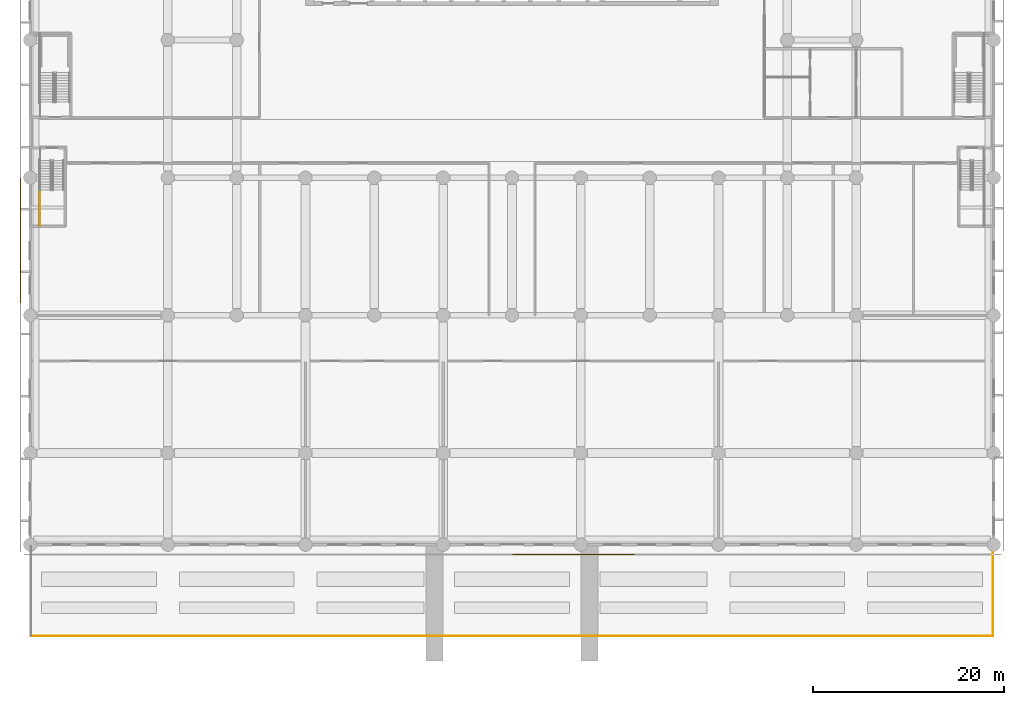
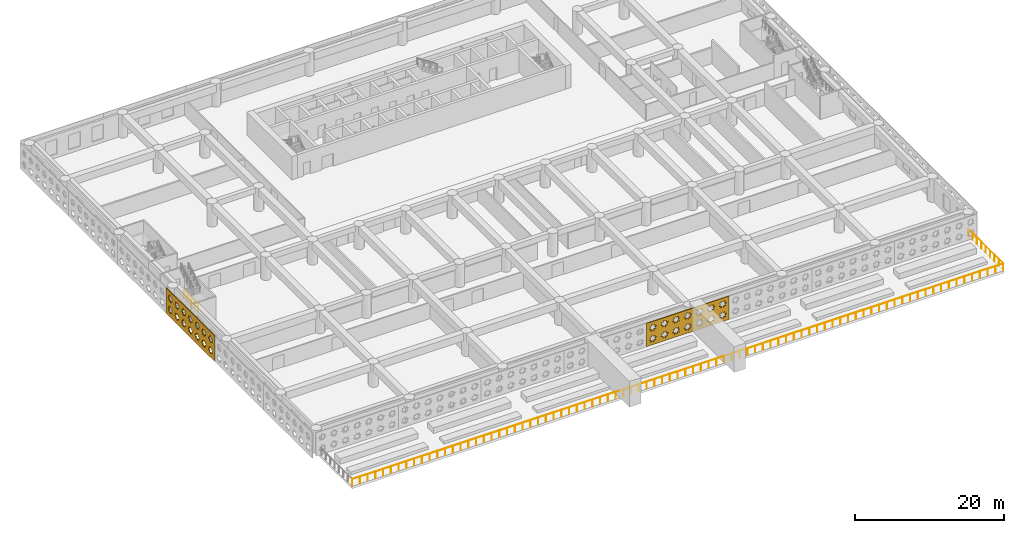
# One storey, part 14 of 24: 2 coverings, 2 railings.
"""IFC4 building model written with IfcOpenShell, lengths in metres."""

import ifcopenshell
import ifcopenshell.guid

model = None  # the IFC model being written
_history = None  # IfcOwnerHistory: only IFC2X3 demands one
_inside = {}  # id of a spatial element -> (the spatial element, [elements in it])
_under = {}  # id of a project, library or spatial element -> (it, [spatial elements below it])
_declared = {}  # id of a project -> (the project, [libraries it declares])
_typed = {}  # id of a type object -> (the type object, [elements of that type])
_made_of = {}  # id of a material, layer set ... -> (it, [elements and type objects made of it])


def new_model(schema):
    """Start an empty IFC model of exactly this schema.

    Asked for "IFC4X3", IfcOpenShell would pick the latest addendum, in which some entities
    have other attributes; the version numbers below select the first issue.
    IFC2X3 requires an IfcOwnerHistory on every rooted entity: one is made here for all.
    """
    global model, _history
    if schema == "IFC4X3":
        model = ifcopenshell.file(schema_version=(4, 3, 0, 0))
    else:
        model = ifcopenshell.file(schema=schema)
    _inside.clear()
    _under.clear()
    _declared.clear()
    _typed.clear()
    _made_of.clear()
    _history = None
    if model.schema == "IFC2X3":
        org = make("IfcOrganization", Name="unknown")
        user = make(
            "IfcPersonAndOrganization",
            ThePerson=make("IfcPerson", FamilyName="unknown"),
            TheOrganization=org,
        )
        app = make(
            "IfcApplication",
            ApplicationDeveloper=org,
            Version="unknown",
            ApplicationFullName="unknown",
            ApplicationIdentifier="unknown",
        )
        _history = make(
            "IfcOwnerHistory",
            OwningUser=user,
            OwningApplication=app,
            ChangeAction="ADDED",
            CreationDate=0,
        )
    return model


def make(cls, **values):
    """One entity of the class cls with the attributes given. An attribute that is None is left unset."""
    return model.create_entity(
        cls, **{name: value for name, value in values.items() if value is not None}
    )


def rooted(cls, **values):
    """An entity with a GlobalId (a new one), such as an element, a storey or a relation."""
    return make(cls, GlobalId=ifcopenshell.guid.new(), OwnerHistory=_history, **values)


def si_unit(unit_type, name, prefix=None):
    """IfcSIUnit, for example si_unit("LENGTHUNIT", "METRE", prefix="MILLI")."""
    return make("IfcSIUnit", UnitType=unit_type, Prefix=prefix, Name=name)


def assignment(units):
    """IfcUnitAssignment: the units of a project."""
    return None if units is None else make("IfcUnitAssignment", Units=units)


def point(xyz):
    """IfcCartesianPoint."""
    return None if xyz is None else make("IfcCartesianPoint", Coordinates=xyz)


def direction(xyz):
    """IfcDirection."""
    return None if xyz is None else make("IfcDirection", DirectionRatios=xyz)


def frame(location, z_axis=None, x_axis=None):
    """IfcAxis2Placement3D, a coordinate frame: its origin and axes. An axis left out is left unset."""
    return make(
        "IfcAxis2Placement3D",
        Location=point(location),
        Axis=direction(z_axis),
        RefDirection=direction(x_axis),
    )


def frame_2d(location, x_axis=None):
    """IfcAxis2Placement2D, a coordinate frame in the plane: its origin and x axis."""
    return make(
        "IfcAxis2Placement2D", Location=point(location), RefDirection=direction(x_axis)
    )


def origin():
    """The frame at (0, 0, 0) with its axes left unset."""
    return frame((0.0, 0.0, 0.0))


def origin_2d():
    """The frame at (0, 0) in the plane with its x axis left unset."""
    return frame_2d((0.0, 0.0))


def place(relative_to, where):
    """IfcLocalPlacement: puts the frame where relative to a parent placement (None: the world)."""
    return make(
        "IfcLocalPlacement", PlacementRelTo=relative_to, RelativePlacement=where
    )


def context(
    kind, dimensions, precision=None, world=None, true_north=None, identifier=None
):
    """IfcGeometricRepresentationContext, for example the 3D "Model" context."""
    return make(
        "IfcGeometricRepresentationContext",
        ContextIdentifier=identifier,
        ContextType=kind,
        CoordinateSpaceDimension=dimensions,
        Precision=precision,
        WorldCoordinateSystem=world,
        TrueNorth=true_north,
    )


def subcontext(parent, identifier, kind, view, scale=None):
    """IfcGeometricRepresentationSubContext, for example "Body" below "Model"."""
    return make(
        "IfcGeometricRepresentationSubContext",
        ContextIdentifier=identifier,
        ContextType=kind,
        ParentContext=parent,
        TargetScale=scale,
        TargetView=view,
    )


def project(units=None, contexts=None):
    """IfcProject with its units and contexts."""
    return rooted(
        "IfcProject",
        Name="project",
        RepresentationContexts=contexts,
        UnitsInContext=assignment(units),
    )


def spatial(cls, under=None, at=None, **own):
    """A site, building, storey or space (cls), placed at a placement, below another one or the project."""
    s = rooted(cls, ObjectPlacement=at, **own)
    if under is not None:
        _under.setdefault(under.id(), (under, []))[1].append(s)
    return s


def polyline(points):
    """IfcPolyline through the points."""
    return make("IfcPolyline", Points=[point(p) for p in points])


def profile(cls, at=None, kind="AREA", **sizes):
    """A parametric profile (cls). Its sizes go by their IFC names, for example OverallWidth=200.0."""
    return make(cls, ProfileType=kind, Position=at, **sizes)


def circle(**sizes):
    """IfcCircleProfileDef."""
    return profile("IfcCircleProfileDef", **sizes)


def outline(outer, holes=None, kind="AREA"):
    """IfcArbitraryClosedProfileDef: a profile drawn as a closed curve; with holes, ...WithVoids."""
    if holes is None:
        return make("IfcArbitraryClosedProfileDef", ProfileType=kind, OuterCurve=outer)
    return make(
        "IfcArbitraryProfileDefWithVoids",
        ProfileType=kind,
        OuterCurve=outer,
        InnerCurves=holes,
    )


def extrude(swept, where, along, depth):
    """IfcExtrudedAreaSolid: the profile swept, set in the frame where, extruded along a direction by depth."""
    return make(
        "IfcExtrudedAreaSolid",
        SweptArea=swept,
        Position=where,
        ExtrudedDirection=direction(along),
        Depth=depth,
    )


def shape(context_of_items, identifier, shape_type, items):
    """IfcShapeRepresentation: the items that make up one representation, for example the "Body"."""
    return make(
        "IfcShapeRepresentation",
        ContextOfItems=context_of_items,
        RepresentationIdentifier=identifier,
        RepresentationType=shape_type,
        Items=items,
    )


def material(Name=None, Category=None):
    """IfcMaterial."""
    return make("IfcMaterial", Name=Name, Category=Category)


def layer(
    of_material, thickness, ventilated=None, Name=None, Category=None, Priority=None
):
    """IfcMaterialLayer: one layer of a wall or slab, of a material (None: an air gap)."""
    return make(
        "IfcMaterialLayer",
        Material=of_material,
        LayerThickness=thickness,
        IsVentilated=ventilated,
        Name=Name,
        Category=Category,
        Priority=Priority,
    )


def layer_set(layers, Name=None):
    """IfcMaterialLayerSet."""
    return make("IfcMaterialLayerSet", MaterialLayers=layers, LayerSetName=Name)


def made_of(thing, what):
    """Note that an element or type object is made of a material, layer set ...; save() writes the relation."""
    if what is not None:
        _made_of.setdefault(what.id(), (what, []))[1].append(thing)
    return thing


def type_object(cls, material=None, **own):
    """A type object (cls), such as IfcWallType, which elements share."""
    return made_of(rooted(cls, **own), material)


def element(
    cls,
    number,
    at=None,
    inside=None,
    cuts=None,
    type_object=None,
    material=None,
    context=None,
    identifier="Body",
    shape_type=None,
    held_by="IfcProductDefinitionShape",
    body=None,
    shapes=None,
    **own,
):
    """One element of the class cls, such as IfcWall. Its Tag is "e" and its number.

    at: its placement. inside: the storey or other place that contains it. cuts: it is an
    opening in that element (IfcRelVoidsElement). A single representation is given by context,
    identifier, shape_type and body (its items); several are given by shapes. held_by: the class
    of the entity that holds the representations. save() writes the other relations.
    """
    e = rooted(cls, Tag="e%d" % number, ObjectPlacement=at, **own)
    if body is not None:
        shapes = [shape(context, identifier, shape_type, body)]
    if shapes is not None:
        e.Representation = make(held_by, Representations=shapes)
    if inside is not None:
        _inside.setdefault(inside.id(), (inside, []))[1].append(e)
    if cuts is not None:
        rooted(
            "IfcRelVoidsElement", RelatingBuildingElement=cuts, RelatedOpeningElement=e
        )
    if type_object is not None:
        _typed.setdefault(type_object.id(), (type_object, []))[1].append(e)
    return made_of(e, material)


def aggregate(whole, parts):
    """IfcRelAggregates: a whole, such as a stair, and the parts it consists of."""
    return rooted("IfcRelAggregates", RelatingObject=whole, RelatedObjects=parts)


def save(model, path):
    """Write the relations noted so far, then the file.

    IfcRelAggregates (storeys below a building ...), IfcRelContainedInSpatialStructure (elements
    in a storey), IfcRelDefinesByType, IfcRelAssociatesMaterial and IfcRelDeclares: one each for
    every whole, place, type object, material and project.
    """
    for whole, parts in _under.values():
        aggregate(whole, parts)
    for where, things in _inside.values():
        rooted(
            "IfcRelContainedInSpatialStructure",
            RelatedElements=things,
            RelatingStructure=where,
        )
    for kind, things in _typed.values():
        rooted("IfcRelDefinesByType", RelatedObjects=things, RelatingType=kind)
    for what, things in _made_of.values():
        rooted("IfcRelAssociatesMaterial", RelatedObjects=things, RelatingMaterial=what)
    for by, libraries in _declared.values():
        rooted("IfcRelDeclares", RelatingContext=by, RelatedDefinitions=libraries)
    model.write(path)


model = new_model("IFC4")

# Units and contexts
model_context = context("Model", 3, precision=1e-05, world=origin(), true_north=direction((0.0, 1.0)))
body_context = subcontext(model_context, "Body", "Model", "MODEL_VIEW")
ifc_project = project(units=[si_unit("LENGTHUNIT", "METRE"), si_unit("AREAUNIT", "SQUARE_METRE"), si_unit("VOLUMEUNIT", "CUBIC_METRE"), si_unit("PLANEANGLEUNIT", "RADIAN"), si_unit("MASSUNIT", "GRAM", prefix="KILO")], contexts=[model_context])

# Site, building, storey
site_placement = place(None, origin())
site = spatial("IfcSite", under=ifc_project, at=site_placement, CompositionType="ELEMENT")
building_placement = place(site_placement, origin())
building = spatial("IfcBuilding", under=site, at=building_placement, Name="Saffron Iwan Residences", CompositionType="ELEMENT")
storey_placement = place(building_placement, frame((0.0, 0.0, 13.199951171875)))
storey = spatial("IfcBuildingStorey", under=building, at=storey_placement, Name="L02", CompositionType="ELEMENT", Elevation=13.199951171875)

# Coverings
ifc_material_1 = material(Name="Terracotta screen, precast concrete C40/50", Category="masonry")
ifc_layer = layer(ifc_material_1, 0.1201171875)
ifc_layer_set = layer_set([ifc_layer], Name="Terracotta screen, precast concrete C40/50")
covering_type = type_object("IfcCoveringType", Name="PODIUM SCREEN GIRIH", PredefinedType="CLADDING", material=ifc_layer_set)
covering_1_placement = place(storey_placement, frame((50.4599609375, 8.64990234375, 0.0), z_axis=(0.0, -1.0, 0.0), x_axis=(1.0, 0.0, 0.0)))
element("IfcCovering", 1, at=covering_1_placement, inside=storey, type_object=covering_type, Name="SCREEN girih terracotta L02 F0.4", PredefinedType="CLADDING", context=body_context, shape_type="SweptSolid", body=[
    extrude(outline(polyline([(0.0, 0.0), (12.777587890625, 0.0), (12.777587890625, 3.800048828125), (0.0, 3.800048828125), (0.0, 0.0)]), holes=[polyline([(1.5966796875, 1.12109375), (1.271484375, 1.18896484375), (1.333251953125, 1.515380859375), (1.05517578125, 1.33349609375), (0.867919921875, 1.608154296875), (0.7998046875, 1.28271484375), (0.47314453125, 1.344482421875), (0.6552734375, 1.06640625), (0.380615234375, 0.87890625), (0.7060546875, 0.81103515625), (0.644287109375, 0.484619140625), (0.92236328125, 0.66650390625), (1.109619140625, 0.391845703125), (1.177490234375, 0.71728515625), (1.50439453125, 0.655517578125), (1.322265625, 0.93359375), (1.5966796875, 1.12109375)]), polyline([(1.5966796875, 2.9208984375), (1.271484375, 2.989013671875), (1.333251953125, 3.3154296875), (1.05517578125, 3.133544921875), (0.867919921875, 3.408203125), (0.7998046875, 3.082763671875), (0.47314453125, 3.14453125), (0.6552734375, 2.8662109375), (0.380615234375, 2.678955078125), (0.7060546875, 2.611083984375), (0.644287109375, 2.284423828125), (0.92236328125, 2.466552734375), (1.109619140625, 2.19189453125), (1.177490234375, 2.517333984375), (1.50439453125, 2.45556640625), (1.322265625, 2.733642578125), (1.5966796875, 2.9208984375)]), polyline([(3.396728515625, 1.12109375), (3.0712890625, 1.18896484375), (3.13330078125, 1.515380859375), (2.85498046875, 1.33349609375), (2.667724609375, 1.608154296875), (2.599853515625, 1.28271484375), (2.273193359375, 1.344482421875), (2.455322265625, 1.06640625), (2.1806640625, 0.87890625), (2.506103515625, 0.81103515625), (2.4443359375, 0.484619140625), (2.722412109375, 0.66650390625), (2.90966796875, 0.391845703125), (2.9775390625, 0.71728515625), (3.30419921875, 0.655517578125), (3.122314453125, 0.93359375), (3.396728515625, 1.12109375)]), polyline([(3.396728515625, 2.9208984375), (3.0712890625, 2.989013671875), (3.13330078125, 3.3154296875), (2.85498046875, 3.133544921875), (2.667724609375, 3.408203125), (2.599853515625, 3.082763671875), (2.273193359375, 3.14453125), (2.455322265625, 2.8662109375), (2.1806640625, 2.678955078125), (2.506103515625, 2.611083984375), (2.4443359375, 2.284423828125), (2.722412109375, 2.466552734375), (2.90966796875, 2.19189453125), (2.9775390625, 2.517333984375), (3.30419921875, 2.45556640625), (3.122314453125, 2.733642578125), (3.396728515625, 2.9208984375)]), polyline([(5.19677734375, 1.12109375), (4.871337890625, 1.18896484375), (4.93310546875, 1.515380859375), (4.655029296875, 1.33349609375), (4.4677734375, 1.608154296875), (4.39990234375, 1.28271484375), (4.0732421875, 1.344482421875), (4.25537109375, 1.06640625), (3.980712890625, 0.87890625), (4.30615234375, 0.81103515625), (4.244384765625, 0.484619140625), (4.5224609375, 0.66650390625), (4.709716796875, 0.391845703125), (4.777587890625, 0.71728515625), (5.104248046875, 0.655517578125), (4.922119140625, 0.93359375), (5.19677734375, 1.12109375)]), polyline([(5.19677734375, 2.9208984375), (4.871337890625, 2.989013671875), (4.93310546875, 3.3154296875), (4.655029296875, 3.133544921875), (4.4677734375, 3.408203125), (4.39990234375, 3.082763671875), (4.0732421875, 3.14453125), (4.25537109375, 2.8662109375), (3.980712890625, 2.678955078125), (4.30615234375, 2.611083984375), (4.244384765625, 2.284423828125), (4.5224609375, 2.466552734375), (4.709716796875, 2.19189453125), (4.777587890625, 2.517333984375), (5.104248046875, 2.45556640625), (4.922119140625, 2.733642578125), (5.19677734375, 2.9208984375)]), polyline([(6.996826171875, 1.12109375), (6.67138671875, 1.18896484375), (6.733154296875, 1.515380859375), (6.455078125, 1.33349609375), (6.267822265625, 1.608154296875), (6.199951171875, 1.28271484375), (5.873291015625, 1.344482421875), (6.055419921875, 1.06640625), (5.78076171875, 0.87890625), (6.106201171875, 0.81103515625), (6.044189453125, 0.484619140625), (6.322509765625, 0.66650390625), (6.509765625, 0.391845703125), (6.57763671875, 0.71728515625), (6.904296875, 0.655517578125), (6.72216796875, 0.93359375), (6.996826171875, 1.12109375)]), polyline([(6.996826171875, 2.9208984375), (6.67138671875, 2.989013671875), (6.733154296875, 3.3154296875), (6.455078125, 3.133544921875), (6.267822265625, 3.408203125), (6.199951171875, 3.082763671875), (5.873291015625, 3.14453125), (6.055419921875, 2.8662109375), (5.78076171875, 2.678955078125), (6.106201171875, 2.611083984375), (6.044189453125, 2.284423828125), (6.322509765625, 2.466552734375), (6.509765625, 2.19189453125), (6.57763671875, 2.517333984375), (6.904296875, 2.45556640625), (6.72216796875, 2.733642578125), (6.996826171875, 2.9208984375)]), polyline([(8.796875, 1.12109375), (8.471435546875, 1.18896484375), (8.533203125, 1.515380859375), (8.255126953125, 1.33349609375), (8.06787109375, 1.608154296875), (8.0, 1.28271484375), (7.673095703125, 1.344482421875), (7.855224609375, 1.06640625), (7.580810546875, 0.87890625), (7.906005859375, 0.81103515625), (7.84423828125, 0.484619140625), (8.122314453125, 0.66650390625), (8.309814453125, 0.391845703125), (8.377685546875, 0.71728515625), (8.704345703125, 0.655517578125), (8.522216796875, 0.93359375), (8.796875, 1.12109375)]), polyline([(8.796875, 2.9208984375), (8.471435546875, 2.989013671875), (8.533203125, 3.3154296875), (8.255126953125, 3.133544921875), (8.06787109375, 3.408203125), (8.0, 3.082763671875), (7.673095703125, 3.14453125), (7.855224609375, 2.8662109375), (7.580810546875, 2.678955078125), (7.906005859375, 2.611083984375), (7.84423828125, 2.284423828125), (8.122314453125, 2.466552734375), (8.309814453125, 2.19189453125), (8.377685546875, 2.517333984375), (8.704345703125, 2.45556640625), (8.522216796875, 2.733642578125), (8.796875, 2.9208984375)]), polyline([(10.5966796875, 1.12109375), (10.271484375, 1.18896484375), (10.333251953125, 1.515380859375), (10.05517578125, 1.33349609375), (9.867919921875, 1.608154296875), (9.7998046875, 1.28271484375), (9.47314453125, 1.344482421875), (9.6552734375, 1.06640625), (9.380615234375, 0.87890625), (9.7060546875, 0.81103515625), (9.644287109375, 0.484619140625), (9.92236328125, 0.66650390625), (10.109619140625, 0.391845703125), (10.177490234375, 0.71728515625), (10.50439453125, 0.655517578125), (10.322265625, 0.93359375), (10.5966796875, 1.12109375)]), polyline([(10.5966796875, 2.9208984375), (10.271484375, 2.989013671875), (10.333251953125, 3.3154296875), (10.05517578125, 3.133544921875), (9.867919921875, 3.408203125), (9.7998046875, 3.082763671875), (9.47314453125, 3.14453125), (9.6552734375, 2.8662109375), (9.380615234375, 2.678955078125), (9.7060546875, 2.611083984375), (9.644287109375, 2.284423828125), (9.92236328125, 2.466552734375), (10.109619140625, 2.19189453125), (10.177490234375, 2.517333984375), (10.50439453125, 2.45556640625), (10.322265625, 2.733642578125), (10.5966796875, 2.9208984375)]), polyline([(12.396728515625, 1.12109375), (12.0712890625, 1.18896484375), (12.13330078125, 1.515380859375), (11.85498046875, 1.33349609375), (11.667724609375, 1.608154296875), (11.599853515625, 1.28271484375), (11.273193359375, 1.344482421875), (11.455322265625, 1.06640625), (11.1806640625, 0.87890625), (11.506103515625, 0.81103515625), (11.4443359375, 0.484619140625), (11.722412109375, 0.66650390625), (11.90966796875, 0.391845703125), (11.9775390625, 0.71728515625), (12.30419921875, 0.655517578125), (12.122314453125, 0.93359375), (12.396728515625, 1.12109375)]), polyline([(12.396728515625, 2.9208984375), (12.0712890625, 2.989013671875), (12.13330078125, 3.3154296875), (11.85498046875, 3.133544921875), (11.667724609375, 3.408203125), (11.599853515625, 3.082763671875), (11.273193359375, 3.14453125), (11.455322265625, 2.8662109375), (11.1806640625, 2.678955078125), (11.506103515625, 2.611083984375), (11.4443359375, 2.284423828125), (11.722412109375, 2.466552734375), (11.90966796875, 2.19189453125), (11.9775390625, 2.517333984375), (12.30419921875, 2.45556640625), (12.122314453125, 2.733642578125), (12.396728515625, 2.9208984375)])]), origin(), (0.0, 0.0, 1.0), 0.119873046875),
])
covering_2_placement = place(storey_placement, frame((-0.949951171875, 47.93994140625, -0.39990234375), z_axis=(-1.0, 0.0, 0.0), x_axis=(0.0, -1.0, 0.0)))
element("IfcCovering", 2, at=covering_2_placement, inside=storey, type_object=covering_type, Name="SCREEN girih terracotta L02 F3.3", PredefinedType="CLADDING", context=body_context, shape_type="SweptSolid", body=[
    extrude(outline(polyline([(0.0, 0.0), (13.03662109375, 0.0), (13.03662109375, 4.199951171875), (0.0, 4.199951171875), (0.0, 0.0)]), holes=[polyline([(1.726318359375, 1.321044921875), (1.40087890625, 1.388916015625), (1.462890625, 1.715576171875), (1.184814453125, 1.533447265625), (0.997314453125, 1.80810546875), (0.929443359375, 1.482666015625), (0.602783203125, 1.54443359375), (0.784912109375, 1.266357421875), (0.51025390625, 1.0791015625), (0.835693359375, 1.010986328125), (0.77392578125, 0.6845703125), (1.052001953125, 0.866455078125), (1.2392578125, 0.591796875), (1.30712890625, 0.917236328125), (1.6337890625, 0.85546875), (1.451904296875, 1.1337890625), (1.726318359375, 1.321044921875)]), polyline([(1.726318359375, 3.12109375), (1.40087890625, 3.18896484375), (1.462890625, 3.515380859375), (1.184814453125, 3.33349609375), (0.997314453125, 3.608154296875), (0.929443359375, 3.28271484375), (0.602783203125, 3.344482421875), (0.784912109375, 3.06640625), (0.51025390625, 2.87890625), (0.835693359375, 2.81103515625), (0.77392578125, 2.484619140625), (1.052001953125, 2.66650390625), (1.2392578125, 2.391845703125), (1.30712890625, 2.71728515625), (1.6337890625, 2.655517578125), (1.451904296875, 2.93359375), (1.726318359375, 3.12109375)]), polyline([(3.5263671875, 1.321044921875), (3.200927734375, 1.388916015625), (3.2626953125, 1.715576171875), (2.984619140625, 1.533447265625), (2.79736328125, 1.80810546875), (2.7294921875, 1.482666015625), (2.40283203125, 1.54443359375), (2.5849609375, 1.266357421875), (2.310302734375, 1.0791015625), (2.635498046875, 1.010986328125), (2.573974609375, 0.6845703125), (2.85205078125, 0.866455078125), (3.039306640625, 0.591796875), (3.107177734375, 0.917236328125), (3.433837890625, 0.85546875), (3.251708984375, 1.1337890625), (3.5263671875, 1.321044921875)]), polyline([(3.5263671875, 3.12109375), (3.200927734375, 3.18896484375), (3.2626953125, 3.515380859375), (2.984619140625, 3.33349609375), (2.79736328125, 3.608154296875), (2.7294921875, 3.28271484375), (2.40283203125, 3.344482421875), (2.5849609375, 3.06640625), (2.310302734375, 2.87890625), (2.635498046875, 2.81103515625), (2.573974609375, 2.484619140625), (2.85205078125, 2.66650390625), (3.039306640625, 2.391845703125), (3.107177734375, 2.71728515625), (3.433837890625, 2.655517578125), (3.251708984375, 2.93359375), (3.5263671875, 3.12109375)]), polyline([(5.326416015625, 1.321044921875), (5.0009765625, 1.388916015625), (5.062744140625, 1.715576171875), (4.78466796875, 1.533447265625), (4.597412109375, 1.80810546875), (4.529296875, 1.482666015625), (4.202880859375, 1.54443359375), (4.385009765625, 1.266357421875), (4.110107421875, 1.0791015625), (4.435546875, 1.010986328125), (4.373779296875, 0.6845703125), (4.652099609375, 0.866455078125), (4.83935546875, 0.591796875), (4.9072265625, 0.917236328125), (5.23388671875, 0.85546875), (5.0517578125, 1.1337890625), (5.326416015625, 1.321044921875)]), polyline([(5.326416015625, 3.12109375), (5.0009765625, 3.18896484375), (5.062744140625, 3.515380859375), (4.78466796875, 3.33349609375), (4.597412109375, 3.608154296875), (4.529296875, 3.28271484375), (4.202880859375, 3.344482421875), (4.385009765625, 3.06640625), (4.110107421875, 2.87890625), (4.435546875, 2.81103515625), (4.373779296875, 2.484619140625), (4.652099609375, 2.66650390625), (4.83935546875, 2.391845703125), (4.9072265625, 2.71728515625), (5.23388671875, 2.655517578125), (5.0517578125, 2.93359375), (5.326416015625, 3.12109375)]), polyline([(7.12646484375, 1.321044921875), (6.801025390625, 1.388916015625), (6.86279296875, 1.715576171875), (6.584716796875, 1.533447265625), (6.3974609375, 1.80810546875), (6.329345703125, 1.482666015625), (6.002685546875, 1.54443359375), (6.184814453125, 1.266357421875), (5.91015625, 1.0791015625), (6.235595703125, 1.010986328125), (6.173828125, 0.6845703125), (6.451904296875, 0.866455078125), (6.639404296875, 0.591796875), (6.707275390625, 0.917236328125), (7.03369140625, 0.85546875), (6.851806640625, 1.1337890625), (7.12646484375, 1.321044921875)]), polyline([(7.12646484375, 3.12109375), (6.801025390625, 3.18896484375), (6.86279296875, 3.515380859375), (6.584716796875, 3.33349609375), (6.3974609375, 3.608154296875), (6.329345703125, 3.28271484375), (6.002685546875, 3.344482421875), (6.184814453125, 3.06640625), (5.91015625, 2.87890625), (6.235595703125, 2.81103515625), (6.173828125, 2.484619140625), (6.451904296875, 2.66650390625), (6.639404296875, 2.391845703125), (6.707275390625, 2.71728515625), (7.03369140625, 2.655517578125), (6.851806640625, 2.93359375), (7.12646484375, 3.12109375)]), polyline([(8.926513671875, 1.321044921875), (8.60107421875, 1.388916015625), (8.662841796875, 1.715576171875), (8.384765625, 1.533447265625), (8.197509765625, 1.80810546875), (8.12939453125, 1.482666015625), (7.802734375, 1.54443359375), (7.98486328125, 1.266357421875), (7.710205078125, 1.0791015625), (8.03564453125, 1.010986328125), (7.973876953125, 0.6845703125), (8.251953125, 0.866455078125), (8.439208984375, 0.591796875), (8.507080078125, 0.917236328125), (8.833740234375, 0.85546875), (8.65185546875, 1.1337890625), (8.926513671875, 1.321044921875)]), polyline([(8.926513671875, 3.12109375), (8.60107421875, 3.18896484375), (8.662841796875, 3.515380859375), (8.384765625, 3.33349609375), (8.197509765625, 3.608154296875), (8.12939453125, 3.28271484375), (7.802734375, 3.344482421875), (7.98486328125, 3.06640625), (7.710205078125, 2.87890625), (8.03564453125, 2.81103515625), (7.973876953125, 2.484619140625), (8.251953125, 2.66650390625), (8.439208984375, 2.391845703125), (8.507080078125, 2.71728515625), (8.833740234375, 2.655517578125), (8.65185546875, 2.93359375), (8.926513671875, 3.12109375)]), polyline([(10.726318359375, 1.321044921875), (10.40087890625, 1.388916015625), (10.462890625, 1.715576171875), (10.184814453125, 1.533447265625), (9.997314453125, 1.80810546875), (9.929443359375, 1.482666015625), (9.602783203125, 1.54443359375), (9.784912109375, 1.266357421875), (9.51025390625, 1.0791015625), (9.835693359375, 1.010986328125), (9.77392578125, 0.6845703125), (10.052001953125, 0.866455078125), (10.2392578125, 0.591796875), (10.30712890625, 0.917236328125), (10.6337890625, 0.85546875), (10.451904296875, 1.1337890625), (10.726318359375, 1.321044921875)]), polyline([(10.726318359375, 3.12109375), (10.40087890625, 3.18896484375), (10.462890625, 3.515380859375), (10.184814453125, 3.33349609375), (9.997314453125, 3.608154296875), (9.929443359375, 3.28271484375), (9.602783203125, 3.344482421875), (9.784912109375, 3.06640625), (9.51025390625, 2.87890625), (9.835693359375, 2.81103515625), (9.77392578125, 2.484619140625), (10.052001953125, 2.66650390625), (10.2392578125, 2.391845703125), (10.30712890625, 2.71728515625), (10.6337890625, 2.655517578125), (10.451904296875, 2.93359375), (10.726318359375, 3.12109375)]), polyline([(12.5263671875, 1.321044921875), (12.200927734375, 1.388916015625), (12.2626953125, 1.715576171875), (11.984619140625, 1.533447265625), (11.79736328125, 1.80810546875), (11.7294921875, 1.482666015625), (11.40283203125, 1.54443359375), (11.5849609375, 1.266357421875), (11.310302734375, 1.0791015625), (11.635498046875, 1.010986328125), (11.573974609375, 0.6845703125), (11.85205078125, 0.866455078125), (12.039306640625, 0.591796875), (12.107177734375, 0.917236328125), (12.433837890625, 0.85546875), (12.251708984375, 1.1337890625), (12.5263671875, 1.321044921875)]), polyline([(12.5263671875, 3.12109375), (12.200927734375, 3.18896484375), (12.2626953125, 3.515380859375), (11.984619140625, 3.33349609375), (11.79736328125, 3.608154296875), (11.7294921875, 3.28271484375), (11.40283203125, 3.344482421875), (11.5849609375, 3.06640625), (11.310302734375, 2.87890625), (11.635498046875, 2.81103515625), (11.573974609375, 2.484619140625), (11.85205078125, 2.66650390625), (12.039306640625, 2.391845703125), (12.107177734375, 2.71728515625), (12.433837890625, 2.655517578125), (12.251708984375, 2.93359375), (12.5263671875, 3.12109375)])]), origin(), (0.0, 0.0, 1.0), 0.1201171875),
])

# Railings
ifc_material_2 = material(Name="Steel S355", Category="steel")
railing_type_1 = type_object("IfcRailingType", Name="Podium stair guard 1150", PredefinedType="GUARDRAIL", material=ifc_material_2)
railing_1_placement = place(storey_placement, frame((1.050048828125, 46.719970703125, 2.10009765625)))
element("IfcRailing", 3, at=railing_1_placement, inside=storey, type_object=railing_type_1, Name="L02 PS1 stair guard 3", PredefinedType="GUARDRAIL", context=body_context, shape_type="SweptSolid", body=[
    extrude(circle(Radius=0.02392578125, at=origin_2d()), frame((0.0, 0.0, 1.1259765625), z_axis=(0.0, -1.0, 0.0), x_axis=(1.0, 0.0, 0.0)), (0.0, 0.0, 1.0), 3.719970703125),
    extrude(circle(Radius=0.02099609375, at=origin_2d()), origin(), (0.0, 0.0, 1.0), 1.101806640625),
    extrude(circle(Radius=0.02099609375, at=origin_2d()), frame((0.0, -0.929931640625, 0.0)), (0.0, 0.0, 1.0), 1.101806640625),
    extrude(circle(Radius=0.02099609375, at=origin_2d()), frame((0.0, -1.85986328125, 0.0)), (0.0, 0.0, 1.0), 1.101806640625),
    extrude(circle(Radius=0.02099609375, at=origin_2d()), frame((0.0, -2.7900390625, 0.0)), (0.0, 0.0, 1.0), 1.101806640625),
    extrude(circle(Radius=0.02099609375, at=origin_2d()), frame((0.0, -3.719970703125, 0.0)), (0.0, 0.0, 1.0), 1.101806640625),
])
ifc_material_3 = material(Name="Stainless steel 316", Category="steel")
railing_type_2 = type_object("IfcRailingType", Name="TERRACE GUARD 1150", PredefinedType="BALUSTRADE", material=ifc_material_3)
railing_2_placement = place(storey_placement, frame((100.72509765625, 9.39990234375, 0.0)))
element("IfcRailing", 4, at=railing_2_placement, inside=storey, type_object=railing_type_2, Name="Terrace guard L02 2", PredefinedType="BALUSTRADE", context=body_context, shape_type="SweptSolid", body=[
    extrude(circle(Radius=0.02392578125, at=origin_2d()), frame((0.0, 0.0, 1.1259765625), z_axis=(0.0, -1.0, 0.0), x_axis=(1.0, 0.0, 0.0)), (0.0, 0.0, 1.0), 9.324951171875),
    extrude(circle(Radius=0.02392578125, at=origin_2d()), frame((0.0, -9.324951171875, 1.1259765625), z_axis=(-1.0, 0.0, 0.0), x_axis=(0.0, -1.0, 0.0)), (0.0, 0.0, 1.0), 100.650146484375),
    extrude(circle(Radius=0.02099609375, at=origin_2d()), origin(), (0.0, 0.0, 1.0), 1.101806640625),
    extrude(circle(Radius=0.02099609375, at=origin_2d()), frame((0.0, -1.16552734375, 0.0)), (0.0, 0.0, 1.0), 1.101806640625),
    extrude(circle(Radius=0.02099609375, at=origin_2d()), frame((0.0, -2.331298828125, 0.0)), (0.0, 0.0, 1.0), 1.101806640625),
    extrude(circle(Radius=0.02099609375, at=origin_2d()), frame((0.0, -3.496826171875, 0.0)), (0.0, 0.0, 1.0), 1.101806640625),
    extrude(circle(Radius=0.02099609375, at=origin_2d()), frame((0.0, -4.66259765625, 0.0)), (0.0, 0.0, 1.0), 1.101806640625),
    extrude(circle(Radius=0.02099609375, at=origin_2d()), frame((0.0, -5.828125, 0.0)), (0.0, 0.0, 1.0), 1.101806640625),
    extrude(circle(Radius=0.02099609375, at=origin_2d()), frame((0.0, -6.99365234375, 0.0)), (0.0, 0.0, 1.0), 1.101806640625),
    extrude(circle(Radius=0.02099609375, at=origin_2d()), frame((0.0, -8.159423828125, 0.0)), (0.0, 0.0, 1.0), 1.101806640625),
    extrude(circle(Radius=0.02099609375, at=origin_2d()), frame((0.0, -9.324951171875, 0.0)), (0.0, 0.0, 1.0), 1.101806640625),
    extrude(circle(Radius=0.02099609375, at=origin_2d()), frame((-1.1982421875, -9.324951171875, 0.0)), (0.0, 0.0, 1.0), 1.101806640625),
    extrude(circle(Radius=0.02099609375, at=origin_2d()), frame((-2.396484375, -9.324951171875, 0.0)), (0.0, 0.0, 1.0), 1.101806640625),
    extrude(circle(Radius=0.02099609375, at=origin_2d()), frame((-3.5947265625, -9.324951171875, 0.0)), (0.0, 0.0, 1.0), 1.101806640625),
    extrude(circle(Radius=0.02099609375, at=origin_2d()), frame((-4.79296875, -9.324951171875, 0.0)), (0.0, 0.0, 1.0), 1.101806640625),
    extrude(circle(Radius=0.02099609375, at=origin_2d()), frame((-5.990966796875, -9.324951171875, 0.0)), (0.0, 0.0, 1.0), 1.101806640625),
    extrude(circle(Radius=0.02099609375, at=origin_2d()), frame((-7.189208984375, -9.324951171875, 0.0)), (0.0, 0.0, 1.0), 1.101806640625),
    extrude(circle(Radius=0.02099609375, at=origin_2d()), frame((-8.387451171875, -9.324951171875, 0.0)), (0.0, 0.0, 1.0), 1.101806640625),
    extrude(circle(Radius=0.02099609375, at=origin_2d()), frame((-9.585693359375, -9.324951171875, 0.0)), (0.0, 0.0, 1.0), 1.101806640625),
    extrude(circle(Radius=0.02099609375, at=origin_2d()), frame((-10.783935546875, -9.324951171875, 0.0)), (0.0, 0.0, 1.0), 1.101806640625),
    extrude(circle(Radius=0.02099609375, at=origin_2d()), frame((-11.982177734375, -9.324951171875, 0.0)), (0.0, 0.0, 1.0), 1.101806640625),
    extrude(circle(Radius=0.02099609375, at=origin_2d()), frame((-13.180419921875, -9.324951171875, 0.0)), (0.0, 0.0, 1.0), 1.101806640625),
    extrude(circle(Radius=0.02099609375, at=origin_2d()), frame((-14.378662109375, -9.324951171875, 0.0)), (0.0, 0.0, 1.0), 1.101806640625),
    extrude(circle(Radius=0.02099609375, at=origin_2d()), frame((-15.576904296875, -9.324951171875, 0.0)), (0.0, 0.0, 1.0), 1.101806640625),
    extrude(circle(Radius=0.02099609375, at=origin_2d()), frame((-16.77490234375, -9.324951171875, 0.0)), (0.0, 0.0, 1.0), 1.101806640625),
    extrude(circle(Radius=0.02099609375, at=origin_2d()), frame((-17.97314453125, -9.324951171875, 0.0)), (0.0, 0.0, 1.0), 1.101806640625),
    extrude(circle(Radius=0.02099609375, at=origin_2d()), frame((-19.17138671875, -9.324951171875, 0.0)), (0.0, 0.0, 1.0), 1.101806640625),
    extrude(circle(Radius=0.02099609375, at=origin_2d()), frame((-20.36962890625, -9.324951171875, 0.0)), (0.0, 0.0, 1.0), 1.101806640625),
    extrude(circle(Radius=0.02099609375, at=origin_2d()), frame((-21.56787109375, -9.324951171875, 0.0)), (0.0, 0.0, 1.0), 1.101806640625),
    extrude(circle(Radius=0.02099609375, at=origin_2d()), frame((-22.76611328125, -9.324951171875, 0.0)), (0.0, 0.0, 1.0), 1.101806640625),
    extrude(circle(Radius=0.02099609375, at=origin_2d()), frame((-23.96435546875, -9.324951171875, 0.0)), (0.0, 0.0, 1.0), 1.101806640625),
    extrude(circle(Radius=0.02099609375, at=origin_2d()), frame((-25.16259765625, -9.324951171875, 0.0)), (0.0, 0.0, 1.0), 1.101806640625),
    extrude(circle(Radius=0.02099609375, at=origin_2d()), frame((-26.36083984375, -9.324951171875, 0.0)), (0.0, 0.0, 1.0), 1.101806640625),
    extrude(circle(Radius=0.02099609375, at=origin_2d()), frame((-27.55908203125, -9.324951171875, 0.0)), (0.0, 0.0, 1.0), 1.101806640625),
    extrude(circle(Radius=0.02099609375, at=origin_2d()), frame((-28.757080078125, -9.324951171875, 0.0)), (0.0, 0.0, 1.0), 1.101806640625),
    extrude(circle(Radius=0.02099609375, at=origin_2d()), frame((-29.955322265625, -9.324951171875, 0.0)), (0.0, 0.0, 1.0), 1.101806640625),
    extrude(circle(Radius=0.02099609375, at=origin_2d()), frame((-31.153564453125, -9.324951171875, 0.0)), (0.0, 0.0, 1.0), 1.101806640625),
    extrude(circle(Radius=0.02099609375, at=origin_2d()), frame((-32.351806640625, -9.324951171875, 0.0)), (0.0, 0.0, 1.0), 1.101806640625),
    extrude(circle(Radius=0.02099609375, at=origin_2d()), frame((-33.550048828125, -9.324951171875, 0.0)), (0.0, 0.0, 1.0), 1.101806640625),
    extrude(circle(Radius=0.02099609375, at=origin_2d()), frame((-34.748291015625, -9.324951171875, 0.0)), (0.0, 0.0, 1.0), 1.101806640625),
    extrude(circle(Radius=0.02099609375, at=origin_2d()), frame((-35.946533203125, -9.324951171875, 0.0)), (0.0, 0.0, 1.0), 1.101806640625),
    extrude(circle(Radius=0.02099609375, at=origin_2d()), frame((-37.144775390625, -9.324951171875, 0.0)), (0.0, 0.0, 1.0), 1.101806640625),
    extrude(circle(Radius=0.02099609375, at=origin_2d()), frame((-38.343017578125, -9.324951171875, 0.0)), (0.0, 0.0, 1.0), 1.101806640625),
    extrude(circle(Radius=0.02099609375, at=origin_2d()), frame((-39.541015625, -9.324951171875, 0.0)), (0.0, 0.0, 1.0), 1.101806640625),
    extrude(circle(Radius=0.02099609375, at=origin_2d()), frame((-40.7392578125, -9.324951171875, 0.0)), (0.0, 0.0, 1.0), 1.101806640625),
    extrude(circle(Radius=0.02099609375, at=origin_2d()), frame((-41.9375, -9.324951171875, 0.0)), (0.0, 0.0, 1.0), 1.101806640625),
    extrude(circle(Radius=0.02099609375, at=origin_2d()), frame((-43.1357421875, -9.324951171875, 0.0)), (0.0, 0.0, 1.0), 1.101806640625),
    extrude(circle(Radius=0.02099609375, at=origin_2d()), frame((-44.333984375, -9.324951171875, 0.0)), (0.0, 0.0, 1.0), 1.101806640625),
    extrude(circle(Radius=0.02099609375, at=origin_2d()), frame((-45.5322265625, -9.324951171875, 0.0)), (0.0, 0.0, 1.0), 1.101806640625),
    extrude(circle(Radius=0.02099609375, at=origin_2d()), frame((-46.73046875, -9.324951171875, 0.0)), (0.0, 0.0, 1.0), 1.101806640625),
    extrude(circle(Radius=0.02099609375, at=origin_2d()), frame((-47.9287109375, -9.324951171875, 0.0)), (0.0, 0.0, 1.0), 1.101806640625),
    extrude(circle(Radius=0.02099609375, at=origin_2d()), frame((-49.126953125, -9.324951171875, 0.0)), (0.0, 0.0, 1.0), 1.101806640625),
    extrude(circle(Radius=0.02099609375, at=origin_2d()), frame((-50.3251953125, -9.324951171875, 0.0)), (0.0, 0.0, 1.0), 1.101806640625),
    extrude(circle(Radius=0.02099609375, at=origin_2d()), frame((-51.523193359375, -9.324951171875, 0.0)), (0.0, 0.0, 1.0), 1.101806640625),
    extrude(circle(Radius=0.02099609375, at=origin_2d()), frame((-52.721435546875, -9.324951171875, 0.0)), (0.0, 0.0, 1.0), 1.101806640625),
    extrude(circle(Radius=0.02099609375, at=origin_2d()), frame((-53.919677734375, -9.324951171875, 0.0)), (0.0, 0.0, 1.0), 1.101806640625),
    extrude(circle(Radius=0.02099609375, at=origin_2d()), frame((-55.117919921875, -9.324951171875, 0.0)), (0.0, 0.0, 1.0), 1.101806640625),
    extrude(circle(Radius=0.02099609375, at=origin_2d()), frame((-56.316162109375, -9.324951171875, 0.0)), (0.0, 0.0, 1.0), 1.101806640625),
    extrude(circle(Radius=0.02099609375, at=origin_2d()), frame((-57.514404296875, -9.324951171875, 0.0)), (0.0, 0.0, 1.0), 1.101806640625),
    extrude(circle(Radius=0.02099609375, at=origin_2d()), frame((-58.712646484375, -9.324951171875, 0.0)), (0.0, 0.0, 1.0), 1.101806640625),
    extrude(circle(Radius=0.02099609375, at=origin_2d()), frame((-59.910888671875, -9.324951171875, 0.0)), (0.0, 0.0, 1.0), 1.101806640625),
    extrude(circle(Radius=0.02099609375, at=origin_2d()), frame((-61.109130859375, -9.324951171875, 0.0)), (0.0, 0.0, 1.0), 1.101806640625),
    extrude(circle(Radius=0.02099609375, at=origin_2d()), frame((-62.30712890625, -9.324951171875, 0.0)), (0.0, 0.0, 1.0), 1.101806640625),
    extrude(circle(Radius=0.02099609375, at=origin_2d()), frame((-63.50537109375, -9.324951171875, 0.0)), (0.0, 0.0, 1.0), 1.101806640625),
    extrude(circle(Radius=0.02099609375, at=origin_2d()), frame((-64.70361328125, -9.324951171875, 0.0)), (0.0, 0.0, 1.0), 1.101806640625),
    extrude(circle(Radius=0.02099609375, at=origin_2d()), frame((-65.90185546875, -9.324951171875, 0.0)), (0.0, 0.0, 1.0), 1.101806640625),
    extrude(circle(Radius=0.02099609375, at=origin_2d()), frame((-67.10009765625, -9.324951171875, 0.0)), (0.0, 0.0, 1.0), 1.101806640625),
    extrude(circle(Radius=0.02099609375, at=origin_2d()), frame((-68.29833984375, -9.324951171875, 0.0)), (0.0, 0.0, 1.0), 1.101806640625),
    extrude(circle(Radius=0.02099609375, at=origin_2d()), frame((-69.49658203125, -9.324951171875, 0.0)), (0.0, 0.0, 1.0), 1.101806640625),
    extrude(circle(Radius=0.02099609375, at=origin_2d()), frame((-70.69482421875, -9.324951171875, 0.0)), (0.0, 0.0, 1.0), 1.101806640625),
    extrude(circle(Radius=0.02099609375, at=origin_2d()), frame((-71.89306640625, -9.324951171875, 0.0)), (0.0, 0.0, 1.0), 1.101806640625),
    extrude(circle(Radius=0.02099609375, at=origin_2d()), frame((-73.091064453125, -9.324951171875, 0.0)), (0.0, 0.0, 1.0), 1.101806640625),
    extrude(circle(Radius=0.02099609375, at=origin_2d()), frame((-74.289306640625, -9.324951171875, 0.0)), (0.0, 0.0, 1.0), 1.101806640625),
    extrude(circle(Radius=0.02099609375, at=origin_2d()), frame((-75.487548828125, -9.324951171875, 0.0)), (0.0, 0.0, 1.0), 1.101806640625),
    extrude(circle(Radius=0.02099609375, at=origin_2d()), frame((-76.685791015625, -9.324951171875, 0.0)), (0.0, 0.0, 1.0), 1.101806640625),
    extrude(circle(Radius=0.02099609375, at=origin_2d()), frame((-77.884033203125, -9.324951171875, 0.0)), (0.0, 0.0, 1.0), 1.101806640625),
    extrude(circle(Radius=0.02099609375, at=origin_2d()), frame((-79.082275390625, -9.324951171875, 0.0)), (0.0, 0.0, 1.0), 1.101806640625),
    extrude(circle(Radius=0.02099609375, at=origin_2d()), frame((-80.280517578125, -9.324951171875, 0.0)), (0.0, 0.0, 1.0), 1.101806640625),
    extrude(circle(Radius=0.02099609375, at=origin_2d()), frame((-81.478759765625, -9.324951171875, 0.0)), (0.0, 0.0, 1.0), 1.101806640625),
    extrude(circle(Radius=0.02099609375, at=origin_2d()), frame((-82.677001953125, -9.324951171875, 0.0)), (0.0, 0.0, 1.0), 1.101806640625),
    extrude(circle(Radius=0.02099609375, at=origin_2d()), frame((-83.875, -9.324951171875, 0.0)), (0.0, 0.0, 1.0), 1.101806640625),
    extrude(circle(Radius=0.02099609375, at=origin_2d()), frame((-85.0732421875, -9.324951171875, 0.0)), (0.0, 0.0, 1.0), 1.101806640625),
    extrude(circle(Radius=0.02099609375, at=origin_2d()), frame((-86.271484375, -9.324951171875, 0.0)), (0.0, 0.0, 1.0), 1.101806640625),
    extrude(circle(Radius=0.02099609375, at=origin_2d()), frame((-87.4697265625, -9.324951171875, 0.0)), (0.0, 0.0, 1.0), 1.101806640625),
    extrude(circle(Radius=0.02099609375, at=origin_2d()), frame((-88.66796875, -9.324951171875, 0.0)), (0.0, 0.0, 1.0), 1.101806640625),
    extrude(circle(Radius=0.02099609375, at=origin_2d()), frame((-89.8662109375, -9.324951171875, 0.0)), (0.0, 0.0, 1.0), 1.101806640625),
    extrude(circle(Radius=0.02099609375, at=origin_2d()), frame((-91.064453125, -9.324951171875, 0.0)), (0.0, 0.0, 1.0), 1.101806640625),
    extrude(circle(Radius=0.02099609375, at=origin_2d()), frame((-92.2626953125, -9.324951171875, 0.0)), (0.0, 0.0, 1.0), 1.101806640625),
    extrude(circle(Radius=0.02099609375, at=origin_2d()), frame((-93.4609375, -9.324951171875, 0.0)), (0.0, 0.0, 1.0), 1.101806640625),
    extrude(circle(Radius=0.02099609375, at=origin_2d()), frame((-94.6591796875, -9.324951171875, 0.0)), (0.0, 0.0, 1.0), 1.101806640625),
    extrude(circle(Radius=0.02099609375, at=origin_2d()), frame((-95.857177734375, -9.324951171875, 0.0)), (0.0, 0.0, 1.0), 1.101806640625),
    extrude(circle(Radius=0.02099609375, at=origin_2d()), frame((-97.055419921875, -9.324951171875, 0.0)), (0.0, 0.0, 1.0), 1.101806640625),
    extrude(circle(Radius=0.02099609375, at=origin_2d()), frame((-98.253662109375, -9.324951171875, 0.0)), (0.0, 0.0, 1.0), 1.101806640625),
    extrude(circle(Radius=0.02099609375, at=origin_2d()), frame((-99.451904296875, -9.324951171875, 0.0)), (0.0, 0.0, 1.0), 1.101806640625),
    extrude(circle(Radius=0.02099609375, at=origin_2d()), frame((-100.650146484375, -9.324951171875, 0.0)), (0.0, 0.0, 1.0), 1.101806640625),
])

save(model, "model.ifc")
